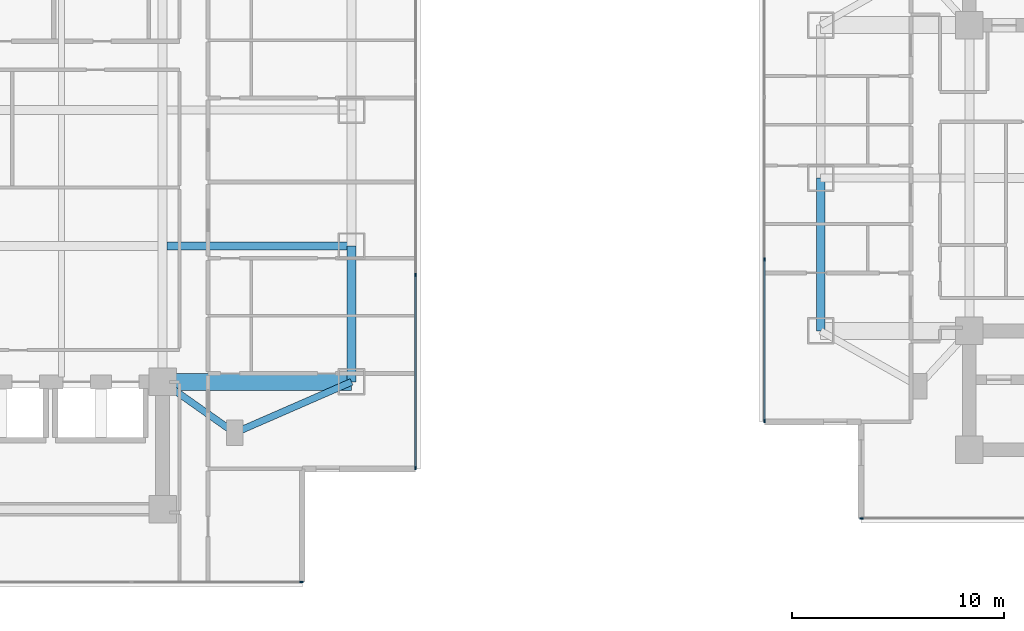
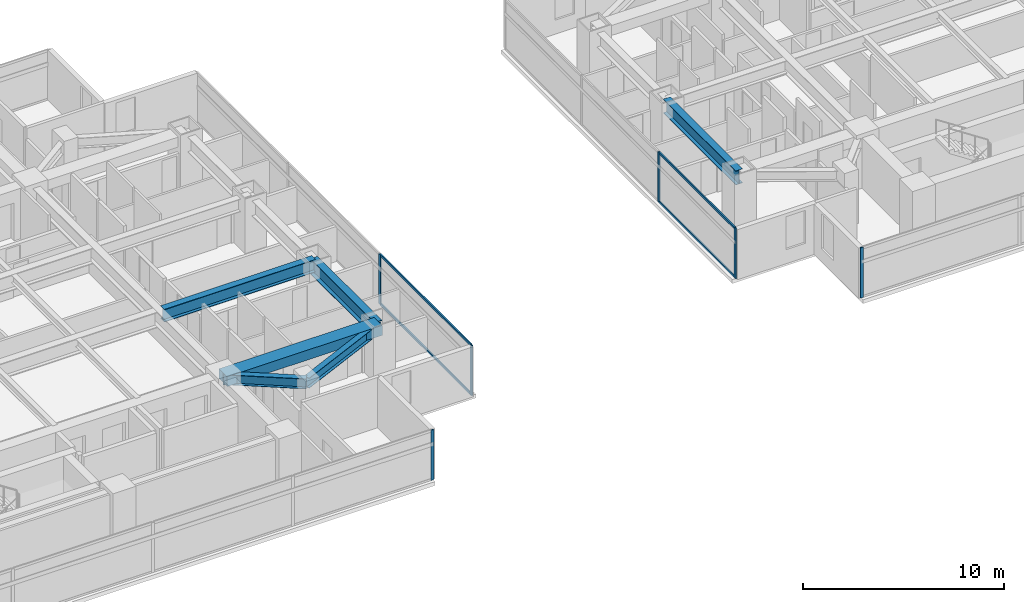
# One storey, part 4 of 24: 10 members, 6 beams, 4 elements without a shape of their own.
"""IFC4 building model written with IfcOpenShell, lengths in metres."""

from ifc_helpers import new_model, si_unit, direction, frame, origin, origin_2d, place, context, subcontext, project, spatial, rectangle, i_section, extrude, material, material_profile, profile_set, type_object, element, aggregate, save


model = new_model("IFC4")

# Units and contexts
model_context = context("Model", 3, precision=1e-05, world=origin(), true_north=direction((0.0, 1.0)))
body_context = subcontext(model_context, "Body", "Model", "MODEL_VIEW")
ifc_project = project(units=[si_unit("LENGTHUNIT", "METRE"), si_unit("AREAUNIT", "SQUARE_METRE"), si_unit("VOLUMEUNIT", "CUBIC_METRE"), si_unit("PLANEANGLEUNIT", "RADIAN"), si_unit("MASSUNIT", "GRAM", prefix="KILO")], contexts=[model_context])

# Site, building, storey
site_placement = place(None, origin())
site = spatial("IfcSite", under=ifc_project, at=site_placement, CompositionType="ELEMENT")
building_placement = place(site_placement, origin())
building = spatial("IfcBuilding", under=site, at=building_placement, Name="Mirazonda Arch Towers", CompositionType="ELEMENT")
storey_placement = place(building_placement, frame((0.0, 0.0, 62.0)))
storey = spatial("IfcBuildingStorey", under=building, at=storey_placement, Name="L17", CompositionType="ELEMENT", Elevation=62.0)

# Beams
ifc_material_1 = material(Name="Steel ASTM A992 Grade 50", Category="steel")
ifc_material_profile_1 = material_profile(ifc_material_1, i_section(OverallWidth=0.39990234375, OverallDepth=0.85595703125, WebThickness=0.018310546875, FlangeThickness=0.029296875, at=origin_2d()), Name="W33X201")
ifc_profile_set_1 = profile_set([ifc_material_profile_1], Name="Steel ASTM A992 Grade 50")
beam_type_1 = type_object("IfcBeamType", Name="BM-EXT-W33X201", PredefinedType="USERDEFINED", material=ifc_profile_set_1)
beam_1_placement = place(storey_placement, frame((61.0, 20.800048828125, 2.632080078125), z_axis=(0.0, 1.0, 0.0), x_axis=(-1.0, 0.0, 0.0)))
element("IfcBeam", 1, at=beam_1_placement, inside=storey, type_object=beam_type_1, Name="L17 Floor Beam BM-T2-L17-NS-W-20", ObjectType="GIRDER", PredefinedType="USERDEFINED", context=body_context, shape_type="SweptSolid", body=[
    extrude(i_section(OverallWidth=0.39990234375, OverallDepth=0.85595703125, WebThickness=0.018310546875, FlangeThickness=0.029296875, at=origin_2d()), origin(), (0.0, 0.0, 1.0), 7.199951171875),
])
ifc_material_profile_2 = material_profile(ifc_material_1, i_section(OverallWidth=0.41796875, OverallDepth=0.927001953125, WebThickness=0.019287109375, FlangeThickness=0.031982421875, at=origin_2d()), Name="W36X231")
ifc_profile_set_2 = profile_set([ifc_material_profile_2], Name="Steel ASTM A992 Grade 50")
beam_type_2 = type_object("IfcBeamType", Name="BM-EXT-W36X231", PredefinedType="USERDEFINED", material=ifc_profile_set_2)
beam_2_placement = place(storey_placement, frame((38.89990234375, 18.39990234375, 2.596435546875), z_axis=(0.0, 1.0, 0.0), x_axis=(-1.0, 0.0, 0.0)))
element("IfcBeam", 2, at=beam_2_placement, inside=storey, type_object=beam_type_2, Name="L17 Floor Beam BM-T1-L17-NS-E-18", ObjectType="GIRDER", PredefinedType="USERDEFINED", context=body_context, shape_type="SweptSolid", body=[
    extrude(i_section(OverallWidth=0.41796875, OverallDepth=0.927001953125, WebThickness=0.019287109375, FlangeThickness=0.031982421875, at=origin_2d()), origin(), (0.0, 0.0, 1.0), 6.400146484375),
])
ifc_material_profile_3 = material_profile(ifc_material_1, i_section(OverallWidth=0.324951171875, OverallDepth=0.615966796875, WebThickness=0.013916015625, FlangeThickness=0.021484375, at=origin_2d()), Name="W24X117")
ifc_profile_set_3 = profile_set([ifc_material_profile_3], Name="Steel ASTM A992 Grade 50")
beam_type_3 = type_object("IfcBeamType", Name="BM-INT-W24X117", PredefinedType="BEAM", material=ifc_profile_set_3)
beam_3_placement = place(storey_placement, frame((33.39990234375, 16.0, 2.751953125), z_axis=(-0.816971114901, 0.576678591087, 0.0), x_axis=(-0.576678591087, -0.816971114901, 0.0)))
element("IfcBeam", 3, at=beam_3_placement, inside=storey, type_object=beam_type_3, Name="L17 Floor Beam BM-T1-L17-PL-SE1", PredefinedType="BEAM", context=body_context, shape_type="SweptSolid", body=[
    extrude(i_section(OverallWidth=0.324951171875, OverallDepth=0.615966796875, WebThickness=0.013916015625, FlangeThickness=0.021484375, at=origin_2d()), origin(), (0.0, 0.0, 1.0), 4.16162109375),
])
beam_4_placement = place(storey_placement, frame((33.39990234375, 16.0, 2.751953125), z_axis=(0.916545343703, 0.399930785183, 0.0), x_axis=(-0.399930785183, 0.916545343703, 0.0)))
element("IfcBeam", 4, at=beam_4_placement, inside=storey, type_object=beam_type_3, Name="L17 Floor Beam BM-T1-L17-PL-SE2", PredefinedType="BEAM", context=body_context, shape_type="SweptSolid", body=[
    extrude(i_section(OverallWidth=0.324951171875, OverallDepth=0.615966796875, WebThickness=0.013916015625, FlangeThickness=0.021484375, at=origin_2d()), origin(), (0.0, 0.0, 1.0), 6.000732421875),
])
ifc_material_profile_4 = material_profile(ifc_material_1, i_section(OverallWidth=0.381103515625, OverallDepth=0.77294921875, WebThickness=0.0166015625, FlangeThickness=0.027099609375, at=origin_2d()), Name="W30X173")
ifc_profile_set_4 = profile_set([ifc_material_profile_4], Name="Steel ASTM A992 Grade 50")
beam_type_4 = type_object("IfcBeamType", Name="BM-INT-W30X173", PredefinedType="USERDEFINED", material=ifc_profile_set_4)
beam_5_placement = place(storey_placement, frame((30.21142578125, 24.800048828125, 2.673583984375), z_axis=(1.0, 0.0, 0.0), x_axis=(0.0, 1.0, 0.0)))
element("IfcBeam", 5, at=beam_5_placement, inside=storey, type_object=beam_type_4, Name="L17 Floor Beam BM-T1-L17-GE2", ObjectType="GIRDER", PredefinedType="USERDEFINED", context=body_context, shape_type="SweptSolid", body=[
    extrude(i_section(OverallWidth=0.381103515625, OverallDepth=0.77294921875, WebThickness=0.0166015625, FlangeThickness=0.027099609375, at=origin_2d()), origin(), (0.0, 0.0, 1.0), 8.6884765625),
])
ifc_material_2 = material(Name="Concrete C60/75", Category="concrete")
ifc_material_profile_5 = material_profile(ifc_material_2, rectangle(XDim=0.800048828125, YDim=0.60009765625, at=origin_2d()), Name="RCCB800x600")
ifc_profile_set_5 = profile_set([ifc_material_profile_5], Name="Concrete C60/75")
beam_type_5 = type_object("IfcBeamType", Name="CB-INT-RCCB800x600", PredefinedType="SPANDREL", material=ifc_profile_set_5)
beam_6_placement = place(storey_placement, frame((30.0, 18.39990234375, 2.760009765625), z_axis=(1.0, 0.0, 0.0), x_axis=(0.0, 1.0, 0.0)))
element("IfcBeam", 6, at=beam_6_placement, inside=storey, type_object=beam_type_5, Name="L17 Floor Beam CBC-T1-L17-SE", PredefinedType="SPANDREL", context=body_context, shape_type="SweptSolid", body=[
    extrude(rectangle(XDim=0.800048828125, YDim=0.60009765625, at=origin_2d()), origin(), (0.0, 0.0, 1.0), 8.89990234375),
])

# Curtain wall, member
ifc_material_3 = material(Name="Anodised Aluminium and Low-E Glass", Category="aluminium")
curtain_wall_type = type_object("IfcCurtainWallType", Name="CW-HTL-UNIT", PredefinedType="NOTDEFINED", material=ifc_material_3)
curtain_wall_1_placement = place(storey_placement, origin())
curtain_wall_1 = element("IfcCurtainWall", 7, at=curtain_wall_1_placement, inside=storey, type_object=curtain_wall_type, Name="L17 T1 S Facade CW-L17-T1-S", PredefinedType="NOTDEFINED")
ifc_material_4 = material(Name="Anodised Aluminium Alloy", Category="aluminium")
ifc_material_profile_6 = material_profile(ifc_material_4, rectangle(XDim=0.074951171875, YDim=0.1650390625, at=origin_2d()), Name="ALU-MULL-75x165")
ifc_profile_set_6 = profile_set([ifc_material_profile_6], Name="Anodised Aluminium Alloy")
member_type_1 = type_object("IfcMemberType", Name="MULL-CW-HTL-UNIT", PredefinedType="MULLION", material=ifc_profile_set_6)
member_1_placement = place(storey_placement, frame((36.54248046875, 8.966064453125, 0.0), z_axis=(0.0, 0.0, 1.0), x_axis=(0.0, -1.0, 0.0)))
member_1 = element("IfcMember", 8, at=member_1_placement, type_object=member_type_1, Name="CW-112 mullion 1", PredefinedType="MULLION", context=body_context, shape_type="SweptSolid", body=[
    extrude(rectangle(XDim=0.074951171875, YDim=0.1650390625, at=origin_2d()), origin(), (0.0, 0.0, 1.0), 3.0400390625),
])
aggregate(curtain_wall_1, [member_1])

# Curtain wall, members
curtain_wall_2_placement = place(storey_placement, origin())
curtain_wall_2 = element("IfcCurtainWall", 9, at=curtain_wall_2_placement, inside=storey, type_object=curtain_wall_type, Name="L17 T1 E Facade CW-L17-T1-E", PredefinedType="NOTDEFINED")
member_2_placement = place(storey_placement, frame((41.919921875, 14.343505859375, 0.0), z_axis=(0.0, 0.0, 1.0), x_axis=(-1.0, 0.0, 0.0)))
member_2 = element("IfcMember", 10, at=member_2_placement, type_object=member_type_1, Name="CW-112 mullion 1", PredefinedType="MULLION", context=body_context, shape_type="SweptSolid", body=[
    extrude(rectangle(XDim=0.074951171875, YDim=0.1650390625, at=origin_2d()), origin(), (0.0, 0.0, 1.0), 3.0400390625),
])
member_3_placement = place(storey_placement, frame((41.919921875, 23.435302734375, 0.0), z_axis=(0.0, 0.0, 1.0), x_axis=(-1.0, 0.0, 0.0)))
member_3 = element("IfcMember", 11, at=member_3_placement, type_object=member_type_1, Name="CW-112 mullion 2", PredefinedType="MULLION", context=body_context, shape_type="SweptSolid", body=[
    extrude(rectangle(XDim=0.074951171875, YDim=0.1650390625, at=origin_2d()), origin(), (0.0, 0.0, 1.0), 3.0400390625),
])

# Curtain wall, member
curtain_wall_3_placement = place(storey_placement, origin())
curtain_wall_3 = element("IfcCurtainWall", 12, at=curtain_wall_3_placement, inside=storey, type_object=curtain_wall_type, Name="L17 T2 S Facade CW-L17-T2-S", PredefinedType="NOTDEFINED")
member_4_placement = place(storey_placement, frame((62.929443359375, 11.97412109375, 0.0), z_axis=(0.0, 0.0, 1.0), x_axis=(0.0, -1.0, 0.0)))
member_4 = element("IfcMember", 13, at=member_4_placement, type_object=member_type_1, Name="CW-112 mullion 4", PredefinedType="MULLION", context=body_context, shape_type="SweptSolid", body=[
    extrude(rectangle(XDim=0.074951171875, YDim=0.1650390625, at=origin_2d()), origin(), (0.0, 0.0, 1.0), 3.0400390625),
])
aggregate(curtain_wall_3, [member_4])

# Curtain wall, members
curtain_wall_4_placement = place(storey_placement, origin())
curtain_wall_4 = element("IfcCurtainWall", 14, at=curtain_wall_4_placement, inside=storey, type_object=curtain_wall_type, Name="L17 T2 W Facade CW-L17-T2-W", PredefinedType="NOTDEFINED")
member_5_placement = place(storey_placement, frame((58.345947265625, 24.17333984375, 0.0), z_axis=(0.0, 0.0, 1.0), x_axis=(1.0, 0.0, 0.0)))
member_5 = element("IfcMember", 15, at=member_5_placement, type_object=member_type_1, Name="CW-112 mullion 3", PredefinedType="MULLION", context=body_context, shape_type="SweptSolid", body=[
    extrude(rectangle(XDim=0.074951171875, YDim=0.1650390625, at=origin_2d()), origin(), (0.0, 0.0, 1.0), 3.0400390625),
])
member_6_placement = place(storey_placement, frame((58.345947265625, 16.5576171875, 0.0), z_axis=(0.0, 0.0, 1.0), x_axis=(1.0, 0.0, 0.0)))
member_6 = element("IfcMember", 16, at=member_6_placement, type_object=member_type_1, Name="CW-112 mullion 4", PredefinedType="MULLION", context=body_context, shape_type="SweptSolid", body=[
    extrude(rectangle(XDim=0.074951171875, YDim=0.1650390625, at=origin_2d()), origin(), (0.0, 0.0, 1.0), 3.0400390625),
])

# Member
ifc_material_profile_7 = material_profile(ifc_material_4, rectangle(XDim=0.074951171875, YDim=0.14501953125, at=origin_2d()), Name="ALU-TRAN-75x145")
ifc_profile_set_7 = profile_set([ifc_material_profile_7], Name="Anodised Aluminium Alloy")
member_type_2 = type_object("IfcMemberType", Name="TRAN-CW-HTL-UNIT", PredefinedType="USERDEFINED", material=ifc_profile_set_7)
member_7_placement = place(storey_placement, frame((41.919921875, 14.381103515625, 0.03759765625), z_axis=(0.0, 1.0, 0.0), x_axis=(-1.0, 0.0, 0.0)))
member_7 = element("IfcMember", 17, at=member_7_placement, type_object=member_type_2, Name="CW-112 transom 1.1", ObjectType="TRANSOM", PredefinedType="USERDEFINED", context=body_context, shape_type="SweptSolid", body=[
    extrude(rectangle(XDim=0.074951171875, YDim=0.14501953125, at=origin_2d()), origin(), (0.0, 0.0, 1.0), 9.016845703125),
])

member_8_placement = place(storey_placement, frame((41.919921875, 14.381103515625, 3.00244140625), z_axis=(0.0, 1.0, 0.0), x_axis=(-1.0, 0.0, 0.0)))
member_8 = element("IfcMember", 18, at=member_8_placement, type_object=member_type_2, Name="CW-112 transom 1.2", ObjectType="TRANSOM", PredefinedType="USERDEFINED", context=body_context, shape_type="SweptSolid", body=[
    extrude(rectangle(XDim=0.074951171875, YDim=0.14501953125, at=origin_2d()), origin(), (0.0, 0.0, 1.0), 9.016845703125),
])

aggregate(curtain_wall_2, [member_2, member_3, member_7, member_8])

member_9_placement = place(storey_placement, frame((58.345947265625, 24.135986328125, 0.03759765625), z_axis=(0.0, -1.0, 0.0), x_axis=(1.0, 0.0, 0.0)))
member_9 = element("IfcMember", 19, at=member_9_placement, type_object=member_type_2, Name="CW-112 transom 3.1", ObjectType="TRANSOM", PredefinedType="USERDEFINED", context=body_context, shape_type="SweptSolid", body=[
    extrude(rectangle(XDim=0.074951171875, YDim=0.14501953125, at=origin_2d()), origin(), (0.0, 0.0, 1.0), 7.540771484375),
])

member_10_placement = place(storey_placement, frame((58.345947265625, 24.135986328125, 3.00244140625), z_axis=(0.0, -1.0, 0.0), x_axis=(1.0, 0.0, 0.0)))
member_10 = element("IfcMember", 20, at=member_10_placement, type_object=member_type_2, Name="CW-112 transom 3.2", ObjectType="TRANSOM", PredefinedType="USERDEFINED", context=body_context, shape_type="SweptSolid", body=[
    extrude(rectangle(XDim=0.074951171875, YDim=0.14501953125, at=origin_2d()), origin(), (0.0, 0.0, 1.0), 7.540771484375),
])

aggregate(curtain_wall_4, [member_5, member_6, member_9, member_10])

save(model, "model.ifc")
